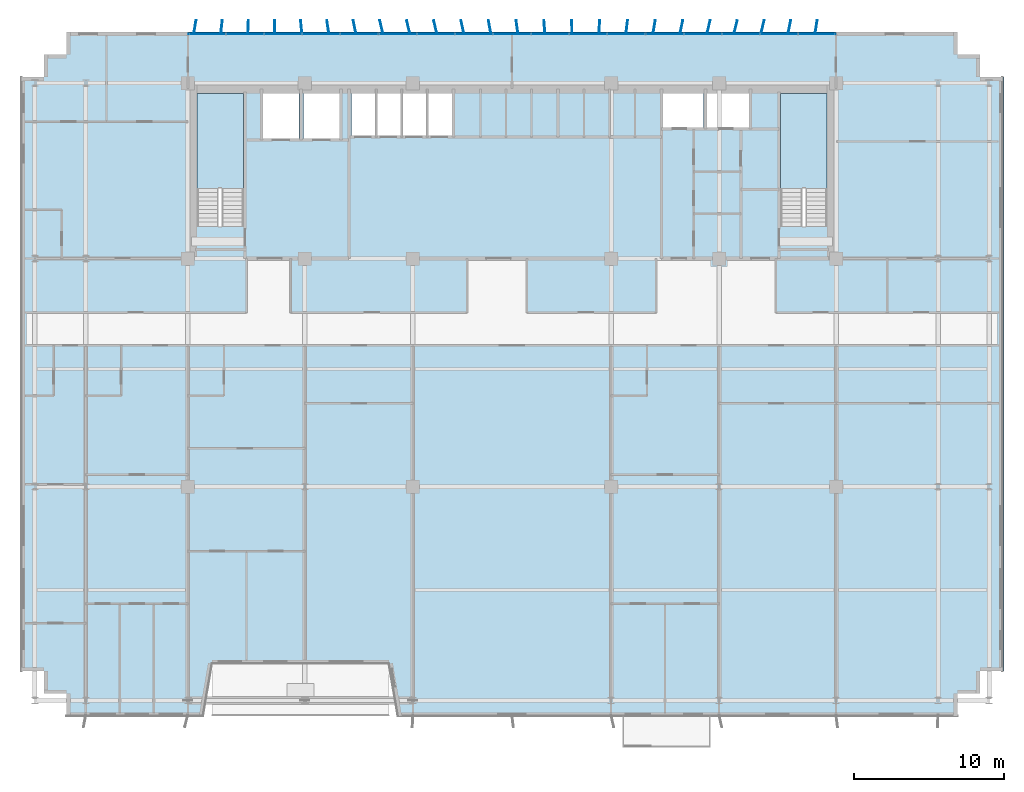
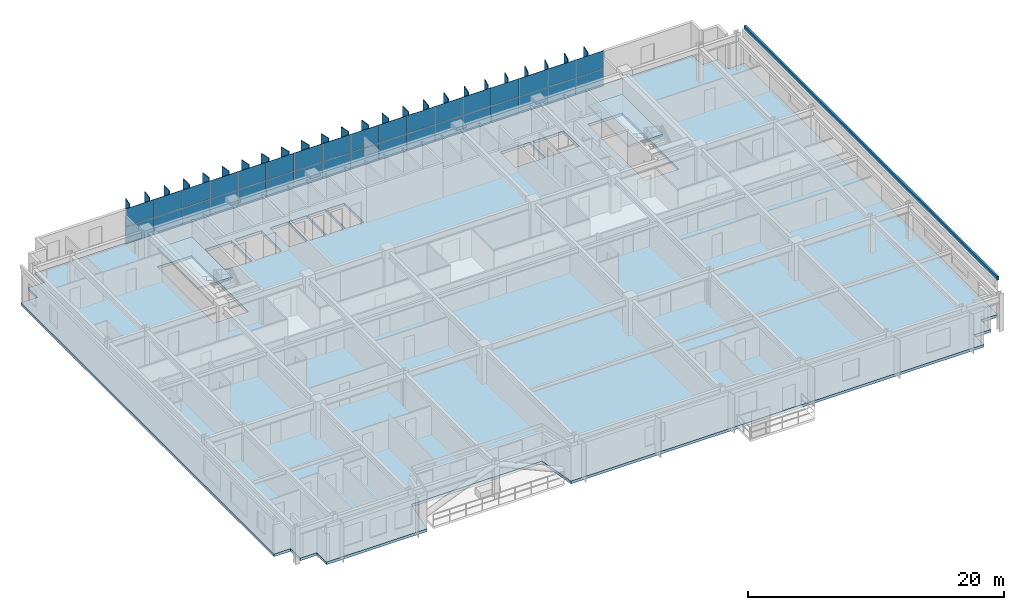
# One storey, part 14 of 23: 59 plates, 3 slabs, 3 elements without a shape of their own.
"""IFC4 building model written with IfcOpenShell, lengths in metres."""

from ifc_helpers import new_model, si_unit, direction, frame, origin, origin_2d, place, context, subcontext, project, spatial, polyline, rectangle, outline, extrude, source, transform, mapped, material, layer, layer_set, type_object, element, aggregate, save


model = new_model("IFC4")

# Units and contexts
model_context = context("Model", 3, precision=1e-05, world=origin(), true_north=direction((0.0, 1.0)))
body_context = subcontext(model_context, "Body", "Model", "MODEL_VIEW")
ifc_project = project(units=[si_unit("LENGTHUNIT", "METRE"), si_unit("AREAUNIT", "SQUARE_METRE"), si_unit("VOLUMEUNIT", "CUBIC_METRE"), si_unit("PLANEANGLEUNIT", "RADIAN"), si_unit("MASSUNIT", "GRAM", prefix="KILO")], contexts=[model_context])

# Site, building, storey
site_placement = place(None, origin())
site = spatial("IfcSite", under=ifc_project, at=site_placement, CompositionType="ELEMENT")
building_placement = place(site_placement, origin())
building = spatial("IfcBuilding", under=site, at=building_placement, Name="Trelvane Seafront Commons", CompositionType="ELEMENT")
storey_placement = place(building_placement, frame((0.0, 0.0, 63.10009765625)))
storey = spatial("IfcBuildingStorey", under=building, at=storey_placement, Name="L16", CompositionType="ELEMENT", Elevation=63.10009765625)

# Stair, slab
ifc_material_1 = material(Name="Concrete C40/50", Category="concrete")
stair_type_1 = type_object("IfcStairType", Name="ARCH-STR-ST-1-R20-180", PredefinedType="HALF_TURN_STAIR", material=ifc_material_1)
stair_1_placement = place(storey_placement, origin())
stair_1 = element("IfcStair", 1, at=stair_1_placement, inside=storey, type_object=stair_type_1, Name="L16 West Protected Firefighting Exit Stair ST-1", PredefinedType="HALF_TURN_STAIR")
ifc_layer_1 = layer(ifc_material_1, 0.199951171875, Name="ARCH-LND-200")
ifc_layer_set_1 = layer_set([ifc_layer_1], Name="Concrete C40/50")
slab_type_1 = type_object("IfcSlabType", Name="ARCH-LND-200", PredefinedType="LANDING", material=ifc_layer_set_1)
slab_1_placement = place(storey_placement, frame((0.0, 0.0, 1.599853515625)))
slab_1 = element("IfcSlab", 2, at=slab_1_placement, type_object=slab_type_1, Name="ST-1 landing 1", PredefinedType="LANDING", context=body_context, shape_type="SweptSolid", body=[
    extrude(outline(polyline([(19.300048828125, 38.070068359375), (19.300048828125, 44.39990234375), (16.199951171875, 44.39990234375), (16.199951171875, 38.070068359375), (19.300048828125, 38.070068359375)])), origin(), (0.0, 0.0, 1.0), 0.199951171875),
])
aggregate(stair_1, [slab_1])

stair_type_2 = type_object("IfcStairType", Name="ARCH-STR-ST-2-R20-180", PredefinedType="HALF_TURN_STAIR", material=ifc_material_1)
stair_2_placement = place(storey_placement, origin())
stair_2 = element("IfcStair", 3, at=stair_2_placement, inside=storey, type_object=stair_type_2, Name="L16 East Protected Firefighting Exit Stair ST-2", PredefinedType="HALF_TURN_STAIR")
slab_2_placement = place(storey_placement, frame((0.0, 0.0, 1.599853515625)))
slab_2 = element("IfcSlab", 4, at=slab_2_placement, type_object=slab_type_1, Name="ST-2 landing 1", PredefinedType="LANDING", context=body_context, shape_type="SweptSolid", body=[
    extrude(outline(polyline([(58.199951171875, 38.070068359375), (58.199951171875, 44.39990234375), (55.10009765625, 44.39990234375), (55.10009765625, 38.070068359375), (58.199951171875, 38.070068359375)])), origin(), (0.0, 0.0, 1.0), 0.199951171875),
])
aggregate(stair_2, [slab_2])

# Slab
ifc_material_2 = material(Name="Concrete C50/60", Category="concrete")
ifc_layer_2 = layer(ifc_material_2, 0.260009765625, Name="STR-SLB-Z1-260")
ifc_layer_set_2 = layer_set([ifc_layer_2], Name="Concrete C50/60")
slab_type_2 = type_object("IfcSlabType", Name="STR-SLB-Z1-260", PredefinedType="FLOOR", material=ifc_layer_set_2)
slab_3_placement = place(storey_placement, frame((0.0, 0.0, -0.260009765625)))
element("IfcSlab", 5, at=slab_3_placement, inside=storey, type_object=slab_type_2, Name="L16 Structural Floor Slab", PredefinedType="FLOOR", context=body_context, shape_type="SweptSolid", body=[
    extrude(outline(polyline([(7.5, 2.89990234375), (16.60009765625, 2.89990234375), (17.199951171875, 6.39990234375), (29.0, 6.39990234375), (29.60009765625, 2.89990234375), (66.89990234375, 2.89990234375), (66.89990234375, 4.39990234375), (68.39990234375, 4.39990234375), (68.39990234375, 5.89990234375), (69.89990234375, 5.89990234375), (69.89990234375, 45.5), (68.39990234375, 45.5), (68.39990234375, 47.0), (66.89990234375, 47.0), (66.89990234375, 48.5), (7.5, 48.5), (7.5, 47.0), (6.0, 47.0), (6.0, 45.5), (4.5, 45.5), (4.5, 5.89990234375), (6.0, 5.89990234375), (6.0, 4.39990234375), (7.5, 4.39990234375), (7.5, 2.89990234375)]), holes=[polyline([(19.300048828125, 35.550048828125), (16.199951171875, 35.550048828125), (16.199951171875, 44.39990234375), (19.300048828125, 44.39990234375), (19.300048828125, 35.550048828125)]), polyline([(58.199951171875, 35.550048828125), (55.10009765625, 35.550048828125), (55.10009765625, 44.39990234375), (58.199951171875, 44.39990234375), (58.199951171875, 35.550048828125)]), polyline([(23.0, 41.39990234375), (20.60009765625, 41.39990234375), (20.60009765625, 44.60009765625), (23.0, 44.60009765625), (23.0, 41.39990234375)]), polyline([(23.300048828125, 41.39990234375), (23.300048828125, 44.60009765625), (25.699951171875, 44.60009765625), (25.699951171875, 41.39990234375), (23.300048828125, 41.39990234375)]), polyline([(26.5, 41.60009765625), (26.5, 44.60009765625), (28.1201171875, 44.60009765625), (28.1201171875, 41.60009765625), (26.5, 41.60009765625)]), polyline([(29.820068359375, 41.60009765625), (28.199951171875, 41.60009765625), (28.199951171875, 44.60009765625), (29.820068359375, 44.60009765625), (29.820068359375, 41.60009765625)]), polyline([(31.52001953125, 41.60009765625), (29.89990234375, 41.60009765625), (29.89990234375, 44.60009765625), (31.52001953125, 44.60009765625), (31.52001953125, 41.60009765625)]), polyline([(33.219970703125, 41.60009765625), (31.60009765625, 41.60009765625), (31.60009765625, 44.60009765625), (33.219970703125, 44.60009765625), (33.219970703125, 41.60009765625)]), polyline([(47.25, 42.14990234375), (47.25, 44.550048828125), (49.949951171875, 44.550048828125), (49.949951171875, 42.14990234375), (47.25, 42.14990234375)]), polyline([(50.199951171875, 42.14990234375), (50.199951171875, 44.550048828125), (53.0, 44.550048828125), (53.0, 42.14990234375), (50.199951171875, 42.14990234375)])]), origin(), (0.0, 0.0, 1.0), 0.260009765625),
])

# Curtain wall, plates
ifc_material_3 = material(Name="Anodised pale-silver aluminium", Category="aluminium")
curtain_wall_type = type_object("IfcCurtainWallType", Name="ARCH-CW2-LOWTOWER", PredefinedType="NOTDEFINED", material=ifc_material_3)
curtain_wall_placement = place(storey_placement, origin())
curtain_wall = element("IfcCurtainWall", 6, at=curtain_wall_placement, inside=storey, type_object=curtain_wall_type, Name="CW-L16-0040", PredefinedType="NOTDEFINED")
ifc_material_4 = material(Name="Low-E coastal double glazing", Category="glass")
ifc_layer_3 = layer(ifc_material_4, 0.033935546875, Name="ARCH-CW-GLAZ-34")
ifc_layer_set_3 = layer_set([ifc_layer_3], Name="Low-E coastal double glazing")
plate_type_1 = type_object("IfcPlateType", Name="ARCH-CW-GLAZ-34", PredefinedType="CURTAIN_PANEL", material=ifc_layer_set_3)
shared_shape_1 = source(origin(), body_context, "Body", "SweptSolid", [
    extrude(rectangle(XDim=2.51708984375, YDim=0.031982421875, at=origin_2d()), origin(), (0.0, 0.0, 1.0), 1.5849609375),
])
plate_1_placement = place(storey_placement, frame((16.87060546875, 48.3701171875, 0.0), z_axis=(0.0, 0.0, 1.0), x_axis=(1.0, 0.0, 0.0)))
plate_1 = element("IfcPlate", 7, at=plate_1_placement, type_object=plate_type_1, Name="CW-L16-0040-P00-1", PredefinedType="CURTAIN_PANEL", context=body_context, shape_type="MappedRepresentation", body=[
    mapped(shared_shape_1, transform((0.0, 0.0, 0.0), x_axis=(1.0, 0.0, 0.0), y_axis=(0.0, 1.0, 0.0), z_axis=(0.0, 0.0, 1.0), scale=1.0)),
])
plate_2_placement = place(storey_placement, frame((19.411865234375, 48.3701171875, 0.0), z_axis=(0.0, 0.0, 1.0), x_axis=(1.0, 0.0, 0.0)))
plate_2 = element("IfcPlate", 8, at=plate_2_placement, type_object=plate_type_1, Name="CW-L16-0040-P01-1", PredefinedType="CURTAIN_PANEL", context=body_context, shape_type="MappedRepresentation", body=[
    mapped(shared_shape_1, transform((0.0, 0.0, 0.0), x_axis=(1.0, 0.0, 0.0), y_axis=(0.0, 1.0, 0.0), z_axis=(0.0, 0.0, 1.0), scale=1.0)),
])
plate_3_placement = place(storey_placement, frame((21.952880859375, 48.3701171875, 0.0), z_axis=(0.0, 0.0, 1.0), x_axis=(1.0, 0.0, 0.0)))
plate_3 = element("IfcPlate", 9, at=plate_3_placement, type_object=plate_type_1, Name="CW-L16-0040-P02-1", PredefinedType="CURTAIN_PANEL", context=body_context, shape_type="MappedRepresentation", body=[
    mapped(shared_shape_1, transform((0.0, 0.0, 0.0), x_axis=(1.0, 0.0, 0.0), y_axis=(0.0, 1.0, 0.0), z_axis=(0.0, 0.0, 1.0), scale=1.0)),
])
plate_4_placement = place(storey_placement, frame((24.494140625, 48.3701171875, 0.0), z_axis=(0.0, 0.0, 1.0), x_axis=(1.0, 0.0, 0.0)))
plate_4 = element("IfcPlate", 10, at=plate_4_placement, type_object=plate_type_1, Name="CW-L16-0040-P03-1", PredefinedType="CURTAIN_PANEL", context=body_context, shape_type="MappedRepresentation", body=[
    mapped(shared_shape_1, transform((0.0, 0.0, 0.0), x_axis=(1.0, 0.0, 0.0), y_axis=(0.0, 1.0, 0.0), z_axis=(0.0, 0.0, 1.0), scale=1.0)),
])
plate_5_placement = place(storey_placement, frame((27.035400390625, 48.3701171875, 0.0), z_axis=(0.0, 0.0, 1.0), x_axis=(1.0, 0.0, 0.0)))
plate_5 = element("IfcPlate", 11, at=plate_5_placement, type_object=plate_type_1, Name="CW-L16-0040-P04-1", PredefinedType="CURTAIN_PANEL", context=body_context, shape_type="MappedRepresentation", body=[
    mapped(shared_shape_1, transform((0.0, 0.0, 0.0), x_axis=(1.0, 0.0, 0.0), y_axis=(0.0, 1.0, 0.0), z_axis=(0.0, 0.0, 1.0), scale=1.0)),
])
plate_6_placement = place(storey_placement, frame((29.576416015625, 48.3701171875, 0.0), z_axis=(0.0, 0.0, 1.0), x_axis=(1.0, 0.0, 0.0)))
plate_6 = element("IfcPlate", 12, at=plate_6_placement, type_object=plate_type_1, Name="CW-L16-0040-P05-1", PredefinedType="CURTAIN_PANEL", context=body_context, shape_type="MappedRepresentation", body=[
    mapped(shared_shape_1, transform((0.0, 0.0, 0.0), x_axis=(1.0, 0.0, 0.0), y_axis=(0.0, 1.0, 0.0), z_axis=(0.0, 0.0, 1.0), scale=1.0)),
])
plate_7_placement = place(storey_placement, frame((32.11767578125, 48.3701171875, 0.0), z_axis=(0.0, 0.0, 1.0), x_axis=(1.0, 0.0, 0.0)))
plate_7 = element("IfcPlate", 13, at=plate_7_placement, type_object=plate_type_1, Name="CW-L16-0040-P06-1", PredefinedType="CURTAIN_PANEL", context=body_context, shape_type="MappedRepresentation", body=[
    mapped(shared_shape_1, transform((0.0, 0.0, 0.0), x_axis=(1.0, 0.0, 0.0), y_axis=(0.0, 1.0, 0.0), z_axis=(0.0, 0.0, 1.0), scale=1.0)),
])
plate_8_placement = place(storey_placement, frame((34.65869140625, 48.3701171875, 0.0), z_axis=(0.0, 0.0, 1.0), x_axis=(1.0, 0.0, 0.0)))
plate_8 = element("IfcPlate", 14, at=plate_8_placement, type_object=plate_type_1, Name="CW-L16-0040-P07-1", PredefinedType="CURTAIN_PANEL", context=body_context, shape_type="MappedRepresentation", body=[
    mapped(shared_shape_1, transform((0.0, 0.0, 0.0), x_axis=(1.0, 0.0, 0.0), y_axis=(0.0, 1.0, 0.0), z_axis=(0.0, 0.0, 1.0), scale=1.0)),
])
plate_9_placement = place(storey_placement, frame((37.199951171875, 48.3701171875, 0.0), z_axis=(0.0, 0.0, 1.0), x_axis=(1.0, 0.0, 0.0)))
plate_9 = element("IfcPlate", 15, at=plate_9_placement, type_object=plate_type_1, Name="CW-L16-0040-P08-1", PredefinedType="CURTAIN_PANEL", context=body_context, shape_type="MappedRepresentation", body=[
    mapped(shared_shape_1, transform((0.0, 0.0, 0.0), x_axis=(1.0, 0.0, 0.0), y_axis=(0.0, 1.0, 0.0), z_axis=(0.0, 0.0, 1.0), scale=1.0)),
])
plate_10_placement = place(storey_placement, frame((39.7412109375, 48.3701171875, 0.0), z_axis=(0.0, 0.0, 1.0), x_axis=(1.0, 0.0, 0.0)))
plate_10 = element("IfcPlate", 16, at=plate_10_placement, type_object=plate_type_1, Name="CW-L16-0040-P09-1", PredefinedType="CURTAIN_PANEL", context=body_context, shape_type="MappedRepresentation", body=[
    mapped(shared_shape_1, transform((0.0, 0.0, 0.0), x_axis=(1.0, 0.0, 0.0), y_axis=(0.0, 1.0, 0.0), z_axis=(0.0, 0.0, 1.0), scale=1.0)),
])
plate_11_placement = place(storey_placement, frame((42.282470703125, 48.3701171875, 0.0), z_axis=(0.0, 0.0, 1.0), x_axis=(1.0, 0.0, 0.0)))
plate_11 = element("IfcPlate", 17, at=plate_11_placement, type_object=plate_type_1, Name="CW-L16-0040-P10-1", PredefinedType="CURTAIN_PANEL", context=body_context, shape_type="MappedRepresentation", body=[
    mapped(shared_shape_1, transform((0.0, 0.0, 0.0), x_axis=(1.0, 0.0, 0.0), y_axis=(0.0, 1.0, 0.0), z_axis=(0.0, 0.0, 1.0), scale=1.0)),
])
plate_12_placement = place(storey_placement, frame((44.823486328125, 48.3701171875, 0.0), z_axis=(0.0, 0.0, 1.0), x_axis=(1.0, 0.0, 0.0)))
plate_12 = element("IfcPlate", 18, at=plate_12_placement, type_object=plate_type_1, Name="CW-L16-0040-P11-1", PredefinedType="CURTAIN_PANEL", context=body_context, shape_type="MappedRepresentation", body=[
    mapped(shared_shape_1, transform((0.0, 0.0, 0.0), x_axis=(1.0, 0.0, 0.0), y_axis=(0.0, 1.0, 0.0), z_axis=(0.0, 0.0, 1.0), scale=1.0)),
])
plate_13_placement = place(storey_placement, frame((47.36474609375, 48.3701171875, 0.0), z_axis=(0.0, 0.0, 1.0), x_axis=(1.0, 0.0, 0.0)))
plate_13 = element("IfcPlate", 19, at=plate_13_placement, type_object=plate_type_1, Name="CW-L16-0040-P12-1", PredefinedType="CURTAIN_PANEL", context=body_context, shape_type="MappedRepresentation", body=[
    mapped(shared_shape_1, transform((0.0, 0.0, 0.0), x_axis=(1.0, 0.0, 0.0), y_axis=(0.0, 1.0, 0.0), z_axis=(0.0, 0.0, 1.0), scale=1.0)),
])
plate_14_placement = place(storey_placement, frame((49.906005859375, 48.3701171875, 0.0), z_axis=(0.0, 0.0, 1.0), x_axis=(1.0, 0.0, 0.0)))
plate_14 = element("IfcPlate", 20, at=plate_14_placement, type_object=plate_type_1, Name="CW-L16-0040-P13-1", PredefinedType="CURTAIN_PANEL", context=body_context, shape_type="MappedRepresentation", body=[
    mapped(shared_shape_1, transform((0.0, 0.0, 0.0), x_axis=(1.0, 0.0, 0.0), y_axis=(0.0, 1.0, 0.0), z_axis=(0.0, 0.0, 1.0), scale=1.0)),
])
plate_15_placement = place(storey_placement, frame((52.447021484375, 48.3701171875, 0.0), z_axis=(0.0, 0.0, 1.0), x_axis=(1.0, 0.0, 0.0)))
plate_15 = element("IfcPlate", 21, at=plate_15_placement, type_object=plate_type_1, Name="CW-L16-0040-P14-1", PredefinedType="CURTAIN_PANEL", context=body_context, shape_type="MappedRepresentation", body=[
    mapped(shared_shape_1, transform((0.0, 0.0, 0.0), x_axis=(1.0, 0.0, 0.0), y_axis=(0.0, 1.0, 0.0), z_axis=(0.0, 0.0, 1.0), scale=1.0)),
])
plate_16_placement = place(storey_placement, frame((54.98828125, 48.3701171875, 0.0), z_axis=(0.0, 0.0, 1.0), x_axis=(1.0, 0.0, 0.0)))
plate_16 = element("IfcPlate", 22, at=plate_16_placement, type_object=plate_type_1, Name="CW-L16-0040-P15-1", PredefinedType="CURTAIN_PANEL", context=body_context, shape_type="MappedRepresentation", body=[
    mapped(shared_shape_1, transform((0.0, 0.0, 0.0), x_axis=(1.0, 0.0, 0.0), y_axis=(0.0, 1.0, 0.0), z_axis=(0.0, 0.0, 1.0), scale=1.0)),
])
plate_17_placement = place(storey_placement, frame((57.529296875, 48.3701171875, 0.0), z_axis=(0.0, 0.0, 1.0), x_axis=(1.0, 0.0, 0.0)))
plate_17 = element("IfcPlate", 23, at=plate_17_placement, type_object=plate_type_1, Name="CW-L16-0040-P16-1", PredefinedType="CURTAIN_PANEL", context=body_context, shape_type="MappedRepresentation", body=[
    mapped(shared_shape_1, transform((0.0, 0.0, 0.0), x_axis=(1.0, 0.0, 0.0), y_axis=(0.0, 1.0, 0.0), z_axis=(0.0, 0.0, 1.0), scale=1.0)),
])
shared_shape_2 = source(origin(), body_context, "Body", "SweptSolid", [
    extrude(rectangle(XDim=2.51708984375, YDim=0.031982421875, at=origin_2d()), origin(), (0.0, 0.0, 1.0), 1.718994140625),
])
plate_18_placement = place(storey_placement, frame((16.87060546875, 48.3701171875, 1.62109375), z_axis=(0.0, 0.0, 1.0), x_axis=(1.0, 0.0, 0.0)))
plate_18 = element("IfcPlate", 24, at=plate_18_placement, type_object=plate_type_1, Name="CW-L16-0040-P00-2", PredefinedType="CURTAIN_PANEL", context=body_context, shape_type="MappedRepresentation", body=[
    mapped(shared_shape_2, transform((0.0, 0.0, 0.0), x_axis=(1.0, 0.0, 0.0), y_axis=(0.0, 1.0, 0.0), z_axis=(0.0, 0.0, 1.0), scale=1.0)),
])
plate_19_placement = place(storey_placement, frame((19.411865234375, 48.3701171875, 1.62109375), z_axis=(0.0, 0.0, 1.0), x_axis=(1.0, 0.0, 0.0)))
plate_19 = element("IfcPlate", 25, at=plate_19_placement, type_object=plate_type_1, Name="CW-L16-0040-P01-2", PredefinedType="CURTAIN_PANEL", context=body_context, shape_type="MappedRepresentation", body=[
    mapped(shared_shape_2, transform((0.0, 0.0, 0.0), x_axis=(1.0, 0.0, 0.0), y_axis=(0.0, 1.0, 0.0), z_axis=(0.0, 0.0, 1.0), scale=1.0)),
])
plate_20_placement = place(storey_placement, frame((21.952880859375, 48.3701171875, 1.62109375), z_axis=(0.0, 0.0, 1.0), x_axis=(1.0, 0.0, 0.0)))
plate_20 = element("IfcPlate", 26, at=plate_20_placement, type_object=plate_type_1, Name="CW-L16-0040-P02-2", PredefinedType="CURTAIN_PANEL", context=body_context, shape_type="MappedRepresentation", body=[
    mapped(shared_shape_2, transform((0.0, 0.0, 0.0), x_axis=(1.0, 0.0, 0.0), y_axis=(0.0, 1.0, 0.0), z_axis=(0.0, 0.0, 1.0), scale=1.0)),
])
plate_21_placement = place(storey_placement, frame((24.494140625, 48.3701171875, 1.62109375), z_axis=(0.0, 0.0, 1.0), x_axis=(1.0, 0.0, 0.0)))
plate_21 = element("IfcPlate", 27, at=plate_21_placement, type_object=plate_type_1, Name="CW-L16-0040-P03-2", PredefinedType="CURTAIN_PANEL", context=body_context, shape_type="MappedRepresentation", body=[
    mapped(shared_shape_2, transform((0.0, 0.0, 0.0), x_axis=(1.0, 0.0, 0.0), y_axis=(0.0, 1.0, 0.0), z_axis=(0.0, 0.0, 1.0), scale=1.0)),
])
plate_22_placement = place(storey_placement, frame((27.035400390625, 48.3701171875, 1.62109375), z_axis=(0.0, 0.0, 1.0), x_axis=(1.0, 0.0, 0.0)))
plate_22 = element("IfcPlate", 28, at=plate_22_placement, type_object=plate_type_1, Name="CW-L16-0040-P04-2", PredefinedType="CURTAIN_PANEL", context=body_context, shape_type="MappedRepresentation", body=[
    mapped(shared_shape_2, transform((0.0, 0.0, 0.0), x_axis=(1.0, 0.0, 0.0), y_axis=(0.0, 1.0, 0.0), z_axis=(0.0, 0.0, 1.0), scale=1.0)),
])
plate_23_placement = place(storey_placement, frame((29.576416015625, 48.3701171875, 1.62109375), z_axis=(0.0, 0.0, 1.0), x_axis=(1.0, 0.0, 0.0)))
plate_23 = element("IfcPlate", 29, at=plate_23_placement, type_object=plate_type_1, Name="CW-L16-0040-P05-2", PredefinedType="CURTAIN_PANEL", context=body_context, shape_type="MappedRepresentation", body=[
    mapped(shared_shape_2, transform((0.0, 0.0, 0.0), x_axis=(1.0, 0.0, 0.0), y_axis=(0.0, 1.0, 0.0), z_axis=(0.0, 0.0, 1.0), scale=1.0)),
])
plate_24_placement = place(storey_placement, frame((32.11767578125, 48.3701171875, 1.62109375), z_axis=(0.0, 0.0, 1.0), x_axis=(1.0, 0.0, 0.0)))
plate_24 = element("IfcPlate", 30, at=plate_24_placement, type_object=plate_type_1, Name="CW-L16-0040-P06-2", PredefinedType="CURTAIN_PANEL", context=body_context, shape_type="MappedRepresentation", body=[
    mapped(shared_shape_2, transform((0.0, 0.0, 0.0), x_axis=(1.0, 0.0, 0.0), y_axis=(0.0, 1.0, 0.0), z_axis=(0.0, 0.0, 1.0), scale=1.0)),
])
plate_25_placement = place(storey_placement, frame((34.65869140625, 48.3701171875, 1.62109375), z_axis=(0.0, 0.0, 1.0), x_axis=(1.0, 0.0, 0.0)))
plate_25 = element("IfcPlate", 31, at=plate_25_placement, type_object=plate_type_1, Name="CW-L16-0040-P07-2", PredefinedType="CURTAIN_PANEL", context=body_context, shape_type="MappedRepresentation", body=[
    mapped(shared_shape_2, transform((0.0, 0.0, 0.0), x_axis=(1.0, 0.0, 0.0), y_axis=(0.0, 1.0, 0.0), z_axis=(0.0, 0.0, 1.0), scale=1.0)),
])
plate_26_placement = place(storey_placement, frame((37.199951171875, 48.3701171875, 1.62109375), z_axis=(0.0, 0.0, 1.0), x_axis=(1.0, 0.0, 0.0)))
plate_26 = element("IfcPlate", 32, at=plate_26_placement, type_object=plate_type_1, Name="CW-L16-0040-P08-2", PredefinedType="CURTAIN_PANEL", context=body_context, shape_type="MappedRepresentation", body=[
    mapped(shared_shape_2, transform((0.0, 0.0, 0.0), x_axis=(1.0, 0.0, 0.0), y_axis=(0.0, 1.0, 0.0), z_axis=(0.0, 0.0, 1.0), scale=1.0)),
])
plate_27_placement = place(storey_placement, frame((39.7412109375, 48.3701171875, 1.62109375), z_axis=(0.0, 0.0, 1.0), x_axis=(1.0, 0.0, 0.0)))
plate_27 = element("IfcPlate", 33, at=plate_27_placement, type_object=plate_type_1, Name="CW-L16-0040-P09-2", PredefinedType="CURTAIN_PANEL", context=body_context, shape_type="MappedRepresentation", body=[
    mapped(shared_shape_2, transform((0.0, 0.0, 0.0), x_axis=(1.0, 0.0, 0.0), y_axis=(0.0, 1.0, 0.0), z_axis=(0.0, 0.0, 1.0), scale=1.0)),
])
plate_28_placement = place(storey_placement, frame((42.282470703125, 48.3701171875, 1.62109375), z_axis=(0.0, 0.0, 1.0), x_axis=(1.0, 0.0, 0.0)))
plate_28 = element("IfcPlate", 34, at=plate_28_placement, type_object=plate_type_1, Name="CW-L16-0040-P10-2", PredefinedType="CURTAIN_PANEL", context=body_context, shape_type="MappedRepresentation", body=[
    mapped(shared_shape_2, transform((0.0, 0.0, 0.0), x_axis=(1.0, 0.0, 0.0), y_axis=(0.0, 1.0, 0.0), z_axis=(0.0, 0.0, 1.0), scale=1.0)),
])
plate_29_placement = place(storey_placement, frame((44.823486328125, 48.3701171875, 1.62109375), z_axis=(0.0, 0.0, 1.0), x_axis=(1.0, 0.0, 0.0)))
plate_29 = element("IfcPlate", 35, at=plate_29_placement, type_object=plate_type_1, Name="CW-L16-0040-P11-2", PredefinedType="CURTAIN_PANEL", context=body_context, shape_type="MappedRepresentation", body=[
    mapped(shared_shape_2, transform((0.0, 0.0, 0.0), x_axis=(1.0, 0.0, 0.0), y_axis=(0.0, 1.0, 0.0), z_axis=(0.0, 0.0, 1.0), scale=1.0)),
])
plate_30_placement = place(storey_placement, frame((47.36474609375, 48.3701171875, 1.62109375), z_axis=(0.0, 0.0, 1.0), x_axis=(1.0, 0.0, 0.0)))
plate_30 = element("IfcPlate", 36, at=plate_30_placement, type_object=plate_type_1, Name="CW-L16-0040-P12-2", PredefinedType="CURTAIN_PANEL", context=body_context, shape_type="MappedRepresentation", body=[
    mapped(shared_shape_2, transform((0.0, 0.0, 0.0), x_axis=(1.0, 0.0, 0.0), y_axis=(0.0, 1.0, 0.0), z_axis=(0.0, 0.0, 1.0), scale=1.0)),
])
plate_31_placement = place(storey_placement, frame((49.906005859375, 48.3701171875, 1.62109375), z_axis=(0.0, 0.0, 1.0), x_axis=(1.0, 0.0, 0.0)))
plate_31 = element("IfcPlate", 37, at=plate_31_placement, type_object=plate_type_1, Name="CW-L16-0040-P13-2", PredefinedType="CURTAIN_PANEL", context=body_context, shape_type="MappedRepresentation", body=[
    mapped(shared_shape_2, transform((0.0, 0.0, 0.0), x_axis=(1.0, 0.0, 0.0), y_axis=(0.0, 1.0, 0.0), z_axis=(0.0, 0.0, 1.0), scale=1.0)),
])
plate_32_placement = place(storey_placement, frame((52.447021484375, 48.3701171875, 1.62109375), z_axis=(0.0, 0.0, 1.0), x_axis=(1.0, 0.0, 0.0)))
plate_32 = element("IfcPlate", 38, at=plate_32_placement, type_object=plate_type_1, Name="CW-L16-0040-P14-2", PredefinedType="CURTAIN_PANEL", context=body_context, shape_type="MappedRepresentation", body=[
    mapped(shared_shape_2, transform((0.0, 0.0, 0.0), x_axis=(1.0, 0.0, 0.0), y_axis=(0.0, 1.0, 0.0), z_axis=(0.0, 0.0, 1.0), scale=1.0)),
])
plate_33_placement = place(storey_placement, frame((54.98828125, 48.3701171875, 1.62109375), z_axis=(0.0, 0.0, 1.0), x_axis=(1.0, 0.0, 0.0)))
plate_33 = element("IfcPlate", 39, at=plate_33_placement, type_object=plate_type_1, Name="CW-L16-0040-P15-2", PredefinedType="CURTAIN_PANEL", context=body_context, shape_type="MappedRepresentation", body=[
    mapped(shared_shape_2, transform((0.0, 0.0, 0.0), x_axis=(1.0, 0.0, 0.0), y_axis=(0.0, 1.0, 0.0), z_axis=(0.0, 0.0, 1.0), scale=1.0)),
])
plate_34_placement = place(storey_placement, frame((57.529296875, 48.3701171875, 1.62109375), z_axis=(0.0, 0.0, 1.0), x_axis=(1.0, 0.0, 0.0)))
plate_34 = element("IfcPlate", 40, at=plate_34_placement, type_object=plate_type_1, Name="CW-L16-0040-P16-2", PredefinedType="CURTAIN_PANEL", context=body_context, shape_type="MappedRepresentation", body=[
    mapped(shared_shape_2, transform((0.0, 0.0, 0.0), x_axis=(1.0, 0.0, 0.0), y_axis=(0.0, 1.0, 0.0), z_axis=(0.0, 0.0, 1.0), scale=1.0)),
])
aggregate(curtain_wall, [plate_1, plate_18, plate_2, plate_19, plate_3, plate_20, plate_4, plate_21, plate_5, plate_22, plate_6, plate_23, plate_7, plate_24, plate_8, plate_25, plate_9, plate_26, plate_10, plate_27, plate_11, plate_28, plate_12, plate_29, plate_13, plate_30, plate_14, plate_31, plate_15, plate_32, plate_16, plate_33, plate_17, plate_34])

# Plates
ifc_layer_4 = layer(ifc_material_3, 0.06005859375, Name="ARCH-PLATE-FIN900")
ifc_layer_set_4 = layer_set([ifc_layer_4], Name="Anodised pale-silver aluminium")
plate_type_2 = type_object("IfcPlateType", Name="ARCH-PLATE-FIN900", PredefinedType="USERDEFINED", material=ifc_layer_set_4)
shared_shape_3 = source(origin(), body_context, "Body", "SweptSolid", [
    extrude(rectangle(XDim=0.89990234375, YDim=0.06005859375, at=origin_2d()), origin(), (0.0, 0.0, 1.0), 3.639892578125),
])
for number, where, z_axis, x_axis, name in (
    (41, (16.072265625, 48.843994140625, -0.02001953125), (0.0, 0.0, 1.0), (0.160668491905, 0.987008427375, 0.0), "FIN-L16-00359"),
    (42, (17.84765625, 48.847412109375, -0.02001953125), (0.0, 0.0, 1.0), (0.105771191326, 0.994390494265, 0.0), "FIN-L16-00360"),
    (43, (19.619140625, 48.849609375, -0.02001953125), (0.0, 0.0, 1.0), (0.042553981565, 0.999094169062, 0.0), "FIN-L16-00361"),
    (44, (21.38916015625, 48.849853515625, -0.02001953125), (0.0, 0.0, 1.0), (-0.023889539213, 0.999714604233, 0.0), "FIN-L16-00362"),
    (45, (23.16015625, 48.848388671875, -0.02001953125), (0.0, 0.0, 1.0), (-0.088551822956, 0.996071571049, 0.0), "FIN-L16-00363"),
    (46, (24.93408203125, 48.84521484375, -0.02001953125), (0.0, 0.0, 1.0), (-0.146226335322, 0.989251160655, 0.0), "FIN-L16-00364"),
    (47, (26.71337890625, 48.841552734375, -0.02001953125), (0.0, 0.0, 1.0), (-0.192782286924, 0.9812415553, 0.0), "FIN-L16-00365"),
    (48, (28.498779296875, 48.83837890625, -0.02001953125), (0.0, 0.0, 1.0), (-0.225005473083, 0.974357499629, 0.0), "FIN-L16-00366"),
    (49, (30.291748046875, 48.8369140625, -0.02001953125), (0.0, 0.0, 1.0), (-0.240548236957, 0.970637185408, 0.0), "FIN-L16-00367"),
    (50, (32.092529296875, 48.8369140625, -0.02001953125), (0.0, 0.0, 1.0), (-0.238663966502, 0.971102214545, 0.0), "FIN-L16-00368"),
    (51, (33.9013671875, 48.839111328125, -0.02001953125), (0.0, 0.0, 1.0), (-0.219330277055, 0.975650669844, 0.0), "FIN-L16-00369"),
    (52, (35.71728515625, 48.84228515625, -0.02001953125), (0.0, 0.0, 1.0), (-0.183879297194, 0.982948830847, 0.0), "FIN-L16-00370"),
    (53, (37.53955078125, 48.845947265625, -0.02001953125), (0.0, 0.0, 1.0), (-0.134558657969, 0.99090563, 0.0), "FIN-L16-00371"),
    (54, (39.3662109375, 48.8486328125, -0.02001953125), (0.0, 0.0, 1.0), (-0.074886484437, 0.997192064975, 0.0), "FIN-L16-00372"),
    (55, (41.19580078125, 48.85009765625, -0.02001953125), (0.0, 0.0, 1.0), (-0.009443836201, 0.999955405985, 0.0), "FIN-L16-00373"),
    (56, (43.025390625, 48.84912109375, -0.02001953125), (0.0, 0.0, 1.0), (0.05678165597, 0.998386620276, 0.0), "FIN-L16-00374"),
    (57, (44.853271484375, 48.846923828125, -0.02001953125), (0.0, 0.0, 1.0), (0.11854954338, 0.992948138507, 0.0), "FIN-L16-00375"),
    (58, (46.677001953125, 48.843505859375, -0.02001953125), (0.0, 0.0, 1.0), (0.171115793907, 0.98525092493, 0.0), "FIN-L16-00376"),
    (59, (48.494873046875, 48.83984375, -0.02001953125), (0.0, 0.0, 1.0), (0.210879531369, 0.977512057854, 0.0), "FIN-L16-00377"),
    (60, (50.3056640625, 48.83740234375, -0.02001953125), (0.0, 0.0, 1.0), (0.234894432244, 0.972020887482, 0.0), "FIN-L16-00378"),
    (61, (52.10888671875, 48.836669921875, -0.02001953125), (0.0, 0.0, 1.0), (0.241777946669, 0.970331605434, 0.0), "FIN-L16-00379"),
    (62, (53.904052734375, 48.837890625, -0.02001953125), (0.0, 0.0, 1.0), (0.231119663963, 0.972925331631, 0.0), "FIN-L16-00380"),
    (63, (55.69140625, 48.840576171875, -0.02001953125), (0.0, 0.0, 1.0), (0.203440113532, 0.979087391506, 0.0), "FIN-L16-00381"),
    (64, (57.472412109375, 48.843994140625, -0.02001953125), (0.0, 0.0, 1.0), (0.160668491905, 0.987008427375, 0.0), "FIN-L16-00382"),
):
    element("IfcPlate", number, at=place(storey_placement, frame(where, z_axis=z_axis, x_axis=x_axis)), inside=storey, type_object=plate_type_2, Name=name, ObjectType="FIN", PredefinedType="USERDEFINED", context=body_context, shape_type="MappedRepresentation", body=[
        mapped(shared_shape_3, transform((0.0, 0.0, 0.0), x_axis=(1.0, 0.0, 0.0), y_axis=(0.0, 1.0, 0.0), z_axis=(0.0, 0.0, 1.0), scale=1.0)),
    ])
ifc_layer_5 = layer(ifc_material_3, 0.179931640625, Name="ARCH-PLATE-AERO")
ifc_layer_set_5 = layer_set([ifc_layer_5], Name="Anodised pale-silver aluminium")
plate_type_3 = type_object("IfcPlateType", Name="ARCH-PLATE-AERO", PredefinedType="SHEET", material=ifc_layer_set_5)
shared_shape_4 = source(origin(), body_context, "Body", "SweptSolid", [
    extrude(rectangle(XDim=39.60009765625, YDim=0.179931640625, at=origin_2d()), origin(), (0.0, 0.0, 1.0), 0.340087890625),
])
plate_35_placement = place(storey_placement, frame((69.89990234375, 25.699951171875, 3.27978515625), z_axis=(0.0, 0.0, 1.0), x_axis=(0.0, -1.0, 0.0)))
element("IfcPlate", 65, at=plate_35_placement, inside=storey, type_object=plate_type_3, Name="AER-L16-00059", PredefinedType="SHEET", context=body_context, shape_type="MappedRepresentation", body=[
    mapped(shared_shape_4, transform((0.0, 0.0, 0.0), x_axis=(1.0, 0.0, 0.0), y_axis=(0.0, 1.0, 0.0), z_axis=(0.0, 0.0, 1.0), scale=1.0)),
])

save(model, "model.ifc")
